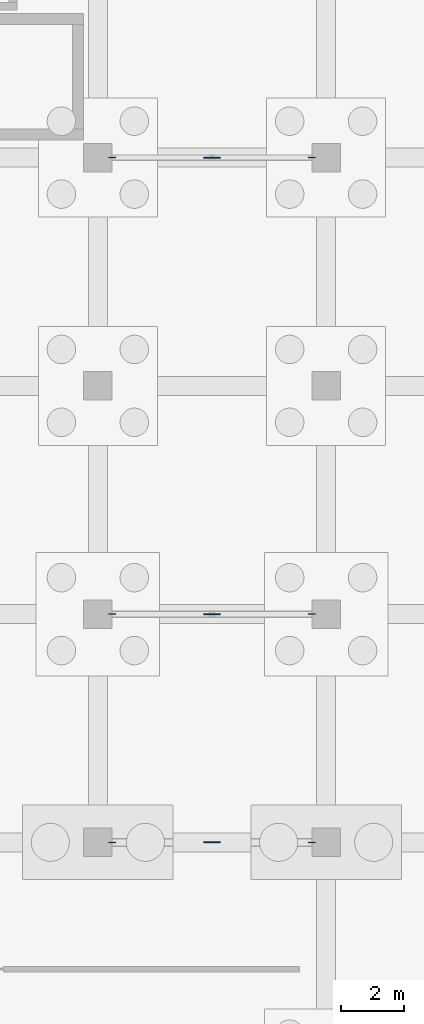
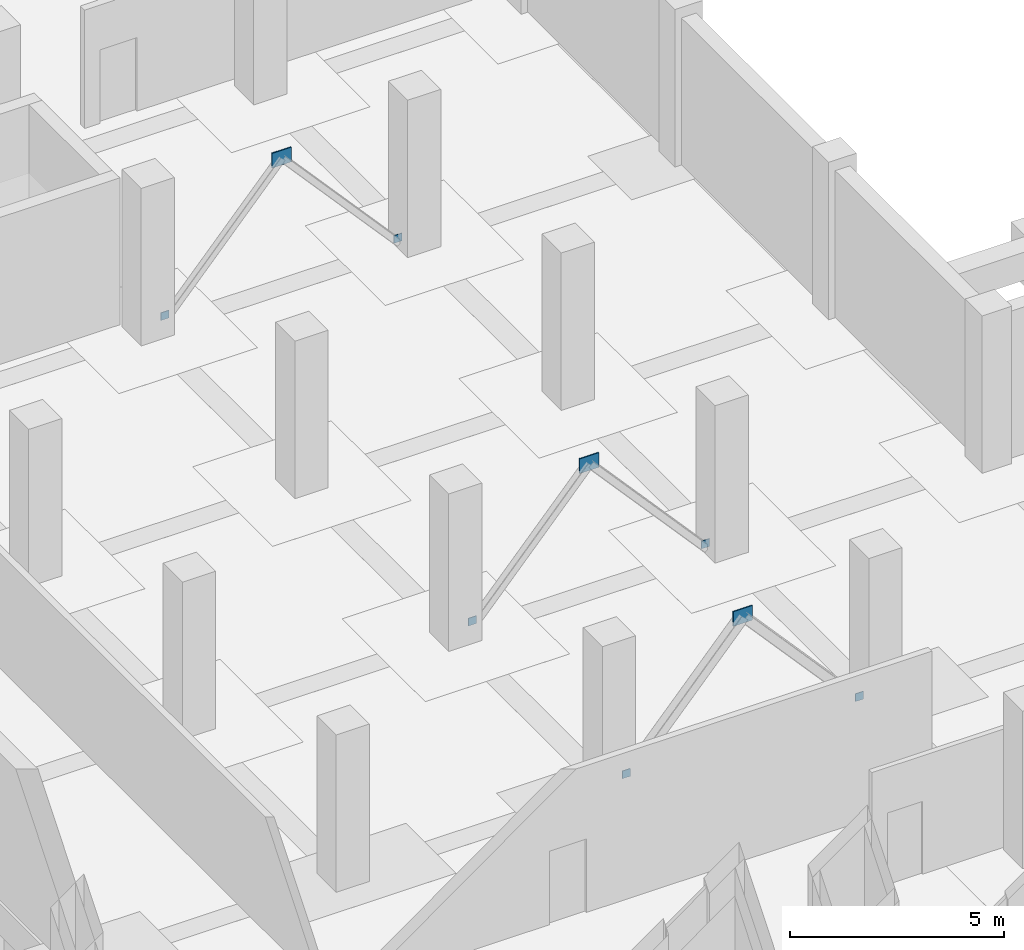
# One storey, part 23 of 36: 9 plates.
"""IFC4 building model written with IfcOpenShell, lengths in metres."""

from ifc_helpers import new_model, si_unit, direction, frame, origin, origin_2d, place, context, subcontext, project, spatial, rectangle, extrude, material, layer, layer_set, type_object, element, save


model = new_model("IFC4")

# Units and contexts
model_context = context("Model", 3, precision=1e-05, world=origin(), true_north=direction((0.0, 1.0)))
body_context = subcontext(model_context, "Body", "Model", "MODEL_VIEW")
ifc_project = project(units=[si_unit("LENGTHUNIT", "METRE"), si_unit("AREAUNIT", "SQUARE_METRE"), si_unit("VOLUMEUNIT", "CUBIC_METRE"), si_unit("PLANEANGLEUNIT", "RADIAN"), si_unit("MASSUNIT", "GRAM", prefix="KILO")], contexts=[model_context])

# Site, building, storey
site_placement = place(None, origin())
site = spatial("IfcSite", under=ifc_project, at=site_placement, CompositionType="ELEMENT")
building_placement = place(site_placement, origin())
building = spatial("IfcBuilding", under=site, at=building_placement, Name="Kalmorath City Hall", CompositionType="ELEMENT")
storey_placement = place(building_placement, frame((0.0, 0.0, -4.5)))
storey = spatial("IfcBuildingStorey", under=building, at=storey_placement, Name="B1", CompositionType="ELEMENT", Elevation=-4.5)

# Plates
ifc_material_1 = material(Name="Steel ASTM A572 Grade 50", Category="steel")
ifc_layer_1 = layer(ifc_material_1, 0.02001953125)
ifc_layer_set_1 = layer_set([ifc_layer_1], Name="Steel ASTM A572 Grade 50")
plate_type_1 = type_object("IfcPlateType", Name="Steel HSS end-cap plate 220x220x20", PredefinedType="SHEET", material=ifc_layer_set_1)
for number, where, z_axis, x_axis, name in (
    (1, (14.85009765625, 28.800048828125, 0.18017578125), (0.0, 0.0, 1.0), (1.0, 0.0, 0.0), "B1 brace foot end-plate GP5-1L"),
    (2, (21.14990234375, 28.800048828125, 0.18017578125), (0.0, 0.0, 1.0), (1.0, 0.0, 0.0), "B1 brace foot end-plate GP5-1R"),
    (3, (14.85009765625, 36.0, 0.18017578125), (0.0, 0.0, 1.0), (1.0, 0.0, 0.0), "B1 brace foot end-plate GP5-9L"),
    (4, (21.14990234375, 36.0, 0.18017578125), (0.0, 0.0, 1.0), (1.0, 0.0, 0.0), "B1 brace foot end-plate GP5-9R"),
    (5, (14.85009765625, 50.39990234375, 0.18017578125), (0.0, 0.0, 1.0), (1.0, 0.0, 0.0), "B1 brace foot end-plate GP5-16L"),
    (6, (21.14990234375, 50.39990234375, 0.18017578125), (0.0, 0.0, 1.0), (1.0, 0.0, 0.0), "B1 brace foot end-plate GP5-16R"),
):
    element("IfcPlate", number, at=place(storey_placement, frame(where, z_axis=z_axis, x_axis=x_axis)), inside=storey, type_object=plate_type_1, Name=name, PredefinedType="SHEET", context=body_context, shape_type="SweptSolid", body=[
        extrude(rectangle(XDim=0.219970703125, YDim=0.02001953125, at=origin_2d()), origin(), (0.0, 0.0, 1.0), 0.219970703125),
    ])
ifc_material_2 = material(Name="Steel ASTM A572 Grade 50", Category="steel")
ifc_layer_2 = layer(ifc_material_2, 0.031982421875)
ifc_layer_set_2 = layer_set([ifc_layer_2], Name="Steel ASTM A572 Grade 50")
plate_type_2 = type_object("IfcPlateType", Name="Steel brace gusset plate 520x420x32", PredefinedType="USERDEFINED", material=ifc_layer_set_2)
for number, where, z_axis, x_axis, name in (
    (7, (18.0, 28.800048828125, 3.489990234375), (0.0, 0.0, 1.0), (1.0, 0.0, 0.0), "B1 brace gusset plate GP2-1"),
    (8, (18.0, 36.0, 3.489990234375), (0.0, 0.0, 1.0), (1.0, 0.0, 0.0), "B1 brace gusset plate GP2-9"),
    (9, (18.0, 50.39990234375, 3.489990234375), (0.0, 0.0, 1.0), (1.0, 0.0, 0.0), "B1 brace gusset plate GP2-16"),
):
    element("IfcPlate", number, at=place(storey_placement, frame(where, z_axis=z_axis, x_axis=x_axis)), inside=storey, type_object=plate_type_2, Name=name, ObjectType="GUSSET PLATE", PredefinedType="USERDEFINED", context=body_context, shape_type="SweptSolid", body=[
        extrude(rectangle(XDim=0.52001953125, YDim=0.031982421875, at=origin_2d()), origin(), (0.0, 0.0, 1.0), 0.419921875),
    ])

save(model, "model.ifc")
